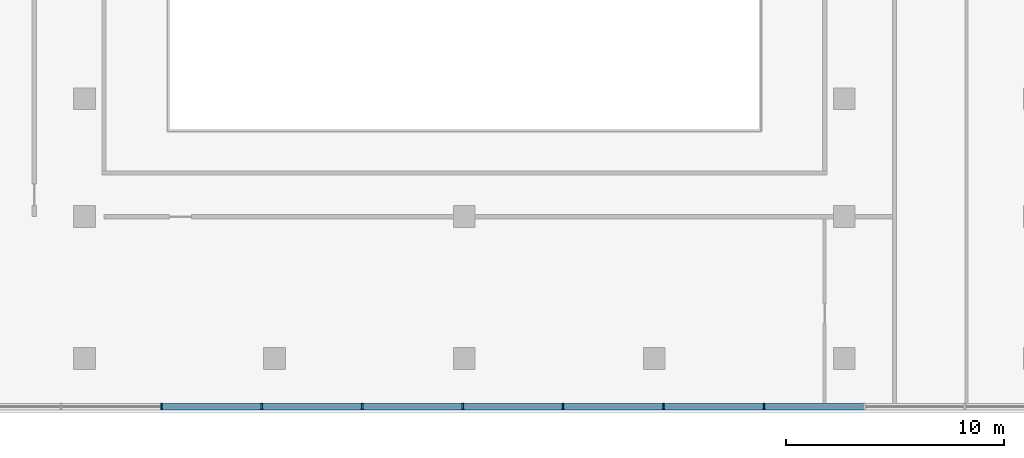
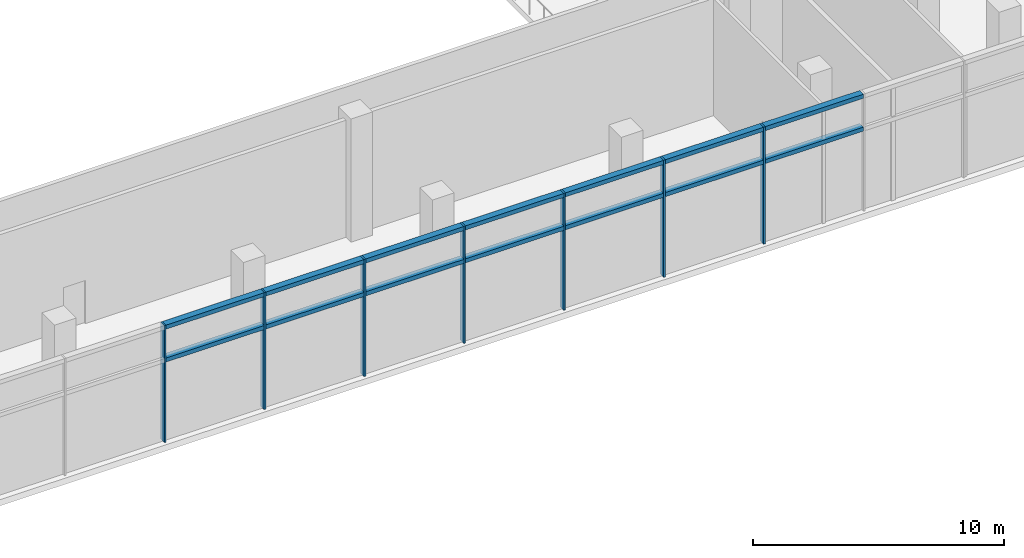
# One storey, part 4 of 22: 21 members, 1 element without a shape of its own.
"""IFC4 building model written with IfcOpenShell, lengths in metres."""

import ifcopenshell
import ifcopenshell.guid

model = None  # the IFC model being written
_history = None  # IfcOwnerHistory: only IFC2X3 demands one
_inside = {}  # id of a spatial element -> (the spatial element, [elements in it])
_under = {}  # id of a project, library or spatial element -> (it, [spatial elements below it])
_declared = {}  # id of a project -> (the project, [libraries it declares])
_typed = {}  # id of a type object -> (the type object, [elements of that type])
_made_of = {}  # id of a material, layer set ... -> (it, [elements and type objects made of it])


def new_model(schema):
    """Start an empty IFC model of exactly this schema.

    Asked for "IFC4X3", IfcOpenShell would pick the latest addendum, in which some entities
    have other attributes; the version numbers below select the first issue.
    IFC2X3 requires an IfcOwnerHistory on every rooted entity: one is made here for all.
    """
    global model, _history
    if schema == "IFC4X3":
        model = ifcopenshell.file(schema_version=(4, 3, 0, 0))
    else:
        model = ifcopenshell.file(schema=schema)
    _inside.clear()
    _under.clear()
    _declared.clear()
    _typed.clear()
    _made_of.clear()
    _history = None
    if model.schema == "IFC2X3":
        org = make("IfcOrganization", Name="unknown")
        user = make(
            "IfcPersonAndOrganization",
            ThePerson=make("IfcPerson", FamilyName="unknown"),
            TheOrganization=org,
        )
        app = make(
            "IfcApplication",
            ApplicationDeveloper=org,
            Version="unknown",
            ApplicationFullName="unknown",
            ApplicationIdentifier="unknown",
        )
        _history = make(
            "IfcOwnerHistory",
            OwningUser=user,
            OwningApplication=app,
            ChangeAction="ADDED",
            CreationDate=0,
        )
    return model


def make(cls, **values):
    """One entity of the class cls with the attributes given. An attribute that is None is left unset."""
    return model.create_entity(
        cls, **{name: value for name, value in values.items() if value is not None}
    )


def rooted(cls, **values):
    """An entity with a GlobalId (a new one), such as an element, a storey or a relation."""
    return make(cls, GlobalId=ifcopenshell.guid.new(), OwnerHistory=_history, **values)


def si_unit(unit_type, name, prefix=None):
    """IfcSIUnit, for example si_unit("LENGTHUNIT", "METRE", prefix="MILLI")."""
    return make("IfcSIUnit", UnitType=unit_type, Prefix=prefix, Name=name)


def assignment(units):
    """IfcUnitAssignment: the units of a project."""
    return None if units is None else make("IfcUnitAssignment", Units=units)


def point(xyz):
    """IfcCartesianPoint."""
    return None if xyz is None else make("IfcCartesianPoint", Coordinates=xyz)


def direction(xyz):
    """IfcDirection."""
    return None if xyz is None else make("IfcDirection", DirectionRatios=xyz)


def frame(location, z_axis=None, x_axis=None):
    """IfcAxis2Placement3D, a coordinate frame: its origin and axes. An axis left out is left unset."""
    return make(
        "IfcAxis2Placement3D",
        Location=point(location),
        Axis=direction(z_axis),
        RefDirection=direction(x_axis),
    )


def frame_2d(location, x_axis=None):
    """IfcAxis2Placement2D, a coordinate frame in the plane: its origin and x axis."""
    return make(
        "IfcAxis2Placement2D", Location=point(location), RefDirection=direction(x_axis)
    )


def origin():
    """The frame at (0, 0, 0) with its axes left unset."""
    return frame((0.0, 0.0, 0.0))


def origin_2d():
    """The frame at (0, 0) in the plane with its x axis left unset."""
    return frame_2d((0.0, 0.0))


def place(relative_to, where):
    """IfcLocalPlacement: puts the frame where relative to a parent placement (None: the world)."""
    return make(
        "IfcLocalPlacement", PlacementRelTo=relative_to, RelativePlacement=where
    )


def context(
    kind, dimensions, precision=None, world=None, true_north=None, identifier=None
):
    """IfcGeometricRepresentationContext, for example the 3D "Model" context."""
    return make(
        "IfcGeometricRepresentationContext",
        ContextIdentifier=identifier,
        ContextType=kind,
        CoordinateSpaceDimension=dimensions,
        Precision=precision,
        WorldCoordinateSystem=world,
        TrueNorth=true_north,
    )


def subcontext(parent, identifier, kind, view, scale=None):
    """IfcGeometricRepresentationSubContext, for example "Body" below "Model"."""
    return make(
        "IfcGeometricRepresentationSubContext",
        ContextIdentifier=identifier,
        ContextType=kind,
        ParentContext=parent,
        TargetScale=scale,
        TargetView=view,
    )


def project(units=None, contexts=None):
    """IfcProject with its units and contexts."""
    return rooted(
        "IfcProject",
        Name="project",
        RepresentationContexts=contexts,
        UnitsInContext=assignment(units),
    )


def spatial(cls, under=None, at=None, **own):
    """A site, building, storey or space (cls), placed at a placement, below another one or the project."""
    s = rooted(cls, ObjectPlacement=at, **own)
    if under is not None:
        _under.setdefault(under.id(), (under, []))[1].append(s)
    return s


def profile(cls, at=None, kind="AREA", **sizes):
    """A parametric profile (cls). Its sizes go by their IFC names, for example OverallWidth=200.0."""
    return make(cls, ProfileType=kind, Position=at, **sizes)


def rectangle(**sizes):
    """IfcRectangleProfileDef."""
    return profile("IfcRectangleProfileDef", **sizes)


def extrude(swept, where, along, depth):
    """IfcExtrudedAreaSolid: the profile swept, set in the frame where, extruded along a direction by depth."""
    return make(
        "IfcExtrudedAreaSolid",
        SweptArea=swept,
        Position=where,
        ExtrudedDirection=direction(along),
        Depth=depth,
    )


def shape(context_of_items, identifier, shape_type, items):
    """IfcShapeRepresentation: the items that make up one representation, for example the "Body"."""
    return make(
        "IfcShapeRepresentation",
        ContextOfItems=context_of_items,
        RepresentationIdentifier=identifier,
        RepresentationType=shape_type,
        Items=items,
    )


def material(Name=None, Category=None):
    """IfcMaterial."""
    return make("IfcMaterial", Name=Name, Category=Category)


def material_profile(
    of_material, cross_section, Name=None, Category=None, Priority=None
):
    """IfcMaterialProfile: a cross section and its material."""
    return make(
        "IfcMaterialProfile",
        Name=Name,
        Material=of_material,
        Profile=cross_section,
        Priority=Priority,
        Category=Category,
    )


def profile_set(profiles, Name=None, composite=None):
    """IfcMaterialProfileSet."""
    return make(
        "IfcMaterialProfileSet",
        Name=Name,
        MaterialProfiles=profiles,
        CompositeProfile=composite,
    )


def made_of(thing, what):
    """Note that an element or type object is made of a material, layer set ...; save() writes the relation."""
    if what is not None:
        _made_of.setdefault(what.id(), (what, []))[1].append(thing)
    return thing


def type_object(cls, material=None, **own):
    """A type object (cls), such as IfcWallType, which elements share."""
    return made_of(rooted(cls, **own), material)


def element(
    cls,
    number,
    at=None,
    inside=None,
    cuts=None,
    type_object=None,
    material=None,
    context=None,
    identifier="Body",
    shape_type=None,
    held_by="IfcProductDefinitionShape",
    body=None,
    shapes=None,
    **own,
):
    """One element of the class cls, such as IfcWall. Its Tag is "e" and its number.

    at: its placement. inside: the storey or other place that contains it. cuts: it is an
    opening in that element (IfcRelVoidsElement). A single representation is given by context,
    identifier, shape_type and body (its items); several are given by shapes. held_by: the class
    of the entity that holds the representations. save() writes the other relations.
    """
    e = rooted(cls, Tag="e%d" % number, ObjectPlacement=at, **own)
    if body is not None:
        shapes = [shape(context, identifier, shape_type, body)]
    if shapes is not None:
        e.Representation = make(held_by, Representations=shapes)
    if inside is not None:
        _inside.setdefault(inside.id(), (inside, []))[1].append(e)
    if cuts is not None:
        rooted(
            "IfcRelVoidsElement", RelatingBuildingElement=cuts, RelatedOpeningElement=e
        )
    if type_object is not None:
        _typed.setdefault(type_object.id(), (type_object, []))[1].append(e)
    return made_of(e, material)


def aggregate(whole, parts):
    """IfcRelAggregates: a whole, such as a stair, and the parts it consists of."""
    return rooted("IfcRelAggregates", RelatingObject=whole, RelatedObjects=parts)


def save(model, path):
    """Write the relations noted so far, then the file.

    IfcRelAggregates (storeys below a building ...), IfcRelContainedInSpatialStructure (elements
    in a storey), IfcRelDefinesByType, IfcRelAssociatesMaterial and IfcRelDeclares: one each for
    every whole, place, type object, material and project.
    """
    for whole, parts in _under.values():
        aggregate(whole, parts)
    for where, things in _inside.values():
        rooted(
            "IfcRelContainedInSpatialStructure",
            RelatedElements=things,
            RelatingStructure=where,
        )
    for kind, things in _typed.values():
        rooted("IfcRelDefinesByType", RelatedObjects=things, RelatingType=kind)
    for what, things in _made_of.values():
        rooted("IfcRelAssociatesMaterial", RelatedObjects=things, RelatingMaterial=what)
    for by, libraries in _declared.values():
        rooted("IfcRelDeclares", RelatingContext=by, RelatedDefinitions=libraries)
    model.write(path)


model = new_model("IFC4")

# Units and contexts
model_context = context("Model", 3, precision=1e-05, world=origin(), true_north=direction((0.0, 1.0)))
body_context = subcontext(model_context, "Body", "Model", "MODEL_VIEW")
ifc_project = project(units=[si_unit("LENGTHUNIT", "METRE"), si_unit("AREAUNIT", "SQUARE_METRE"), si_unit("VOLUMEUNIT", "CUBIC_METRE"), si_unit("PLANEANGLEUNIT", "RADIAN"), si_unit("MASSUNIT", "GRAM", prefix="KILO")], contexts=[model_context])

# Site, building, storey
site_placement = place(None, origin())
site = spatial("IfcSite", under=ifc_project, at=site_placement, CompositionType="ELEMENT")
building_placement = place(site_placement, origin())
building = spatial("IfcBuilding", under=site, at=building_placement, Name="Bicima Exchange Tower", CompositionType="ELEMENT")
storey_placement = place(building_placement, frame((0.0, 0.0, 14.0)))
storey = spatial("IfcBuildingStorey", under=building, at=storey_placement, Name="L02", CompositionType="ELEMENT", Elevation=14.0)

# Curtain wall, members
ifc_material = material(Name="Stainless steel", Category="steel")
curtain_wall_type = type_object("IfcCurtainWallType", Name="Hall structural glazing", PredefinedType="NOTDEFINED", material=ifc_material)
curtain_wall_placement = place(storey_placement, origin())
curtain_wall = element("IfcCurtainWall", 1, at=curtain_wall_placement, inside=storey, type_object=curtain_wall_type, Name="Podium glazing L02 south 1", PredefinedType="NOTDEFINED")
ifc_material_profile_1 = material_profile(ifc_material, rectangle(XDim=0.300048828125, YDim=0.080078125, at=origin_2d()))
ifc_profile_set_1 = profile_set([ifc_material_profile_1], Name="Stainless steel")
member_type_1 = type_object("IfcMemberType", Name="Hall structural glazing mullion 80 x 300", PredefinedType="MULLION", material=ifc_profile_set_1)
member_1_placement = place(storey_placement, frame((-13.87060546875, -53.699951171875, 0.0), z_axis=(0.0, 0.0, 1.0), x_axis=(0.0, 1.0, 0.0)))
member_1 = element("IfcMember", 2, at=member_1_placement, type_object=member_type_1, Name="Hall structural glazing mullion 8", PredefinedType="MULLION", context=body_context, shape_type="SweptSolid", body=[
    extrude(rectangle(XDim=0.300048828125, YDim=0.080078125, at=origin_2d()), origin(), (0.0, 0.0, 1.0), 5.699951171875),
])
member_2_placement = place(storey_placement, frame((-9.27197265625, -53.699951171875, 0.0), z_axis=(0.0, 0.0, 1.0), x_axis=(0.0, 1.0, 0.0)))
member_2 = element("IfcMember", 3, at=member_2_placement, type_object=member_type_1, Name="Hall structural glazing mullion 9", PredefinedType="MULLION", context=body_context, shape_type="SweptSolid", body=[
    extrude(rectangle(XDim=0.300048828125, YDim=0.080078125, at=origin_2d()), origin(), (0.0, 0.0, 1.0), 5.699951171875),
])
member_3_placement = place(storey_placement, frame((-4.673583984375, -53.699951171875, 0.0), z_axis=(0.0, 0.0, 1.0), x_axis=(0.0, 1.0, 0.0)))
member_3 = element("IfcMember", 4, at=member_3_placement, type_object=member_type_1, Name="Hall structural glazing mullion 10", PredefinedType="MULLION", context=body_context, shape_type="SweptSolid", body=[
    extrude(rectangle(XDim=0.300048828125, YDim=0.080078125, at=origin_2d()), origin(), (0.0, 0.0, 1.0), 5.699951171875),
])
member_4_placement = place(storey_placement, frame((-0.074951171875, -53.699951171875, 0.0), z_axis=(0.0, 0.0, 1.0), x_axis=(0.0, 1.0, 0.0)))
member_4 = element("IfcMember", 5, at=member_4_placement, type_object=member_type_1, Name="Hall structural glazing mullion 11", PredefinedType="MULLION", context=body_context, shape_type="SweptSolid", body=[
    extrude(rectangle(XDim=0.300048828125, YDim=0.080078125, at=origin_2d()), origin(), (0.0, 0.0, 1.0), 5.699951171875),
])
member_5_placement = place(storey_placement, frame((4.5234375, -53.699951171875, 0.0), z_axis=(0.0, 0.0, 1.0), x_axis=(0.0, 1.0, 0.0)))
member_5 = element("IfcMember", 6, at=member_5_placement, type_object=member_type_1, Name="Hall structural glazing mullion 12", PredefinedType="MULLION", context=body_context, shape_type="SweptSolid", body=[
    extrude(rectangle(XDim=0.300048828125, YDim=0.080078125, at=origin_2d()), origin(), (0.0, 0.0, 1.0), 5.699951171875),
])
member_6_placement = place(storey_placement, frame((9.1220703125, -53.699951171875, 0.0), z_axis=(0.0, 0.0, 1.0), x_axis=(0.0, 1.0, 0.0)))
member_6 = element("IfcMember", 7, at=member_6_placement, type_object=member_type_1, Name="Hall structural glazing mullion 13", PredefinedType="MULLION", context=body_context, shape_type="SweptSolid", body=[
    extrude(rectangle(XDim=0.300048828125, YDim=0.080078125, at=origin_2d()), origin(), (0.0, 0.0, 1.0), 5.699951171875),
])
member_7_placement = place(storey_placement, frame((13.720458984375, -53.699951171875, 0.0), z_axis=(0.0, 0.0, 1.0), x_axis=(0.0, 1.0, 0.0)))
member_7 = element("IfcMember", 8, at=member_7_placement, type_object=member_type_1, Name="Hall structural glazing mullion 14", PredefinedType="MULLION", context=body_context, shape_type="SweptSolid", body=[
    extrude(rectangle(XDim=0.300048828125, YDim=0.080078125, at=origin_2d()), origin(), (0.0, 0.0, 1.0), 5.699951171875),
])
ifc_material_profile_2 = material_profile(ifc_material, rectangle(XDim=0.300048828125, YDim=0.199951171875, at=origin_2d()))
ifc_profile_set_2 = profile_set([ifc_material_profile_2], Name="Stainless steel")
member_type_2 = type_object("IfcMemberType", Name="Hall structural glazing transom 200 x 300", PredefinedType="USERDEFINED", material=ifc_profile_set_2)
member_8_placement = place(storey_placement, frame((-13.83056640625, -53.699951171875, 4.0), z_axis=(1.0, 0.0, 0.0), x_axis=(0.0, 1.0, 0.0)))
member_8 = element("IfcMember", 9, at=member_8_placement, type_object=member_type_2, Name="Hall structural glazing transom 8.1", ObjectType="TRANSOM", PredefinedType="USERDEFINED", context=body_context, shape_type="SweptSolid", body=[
    extrude(rectangle(XDim=0.300048828125, YDim=0.199951171875, at=origin_2d()), origin(), (0.0, 0.0, 1.0), 4.5185546875),
])
member_9_placement = place(storey_placement, frame((-13.83056640625, -53.699951171875, 5.60009765625), z_axis=(1.0, 0.0, 0.0), x_axis=(0.0, 1.0, 0.0)))
member_9 = element("IfcMember", 10, at=member_9_placement, type_object=member_type_2, Name="Hall structural glazing transom 8.2", ObjectType="TRANSOM", PredefinedType="USERDEFINED", context=body_context, shape_type="SweptSolid", body=[
    extrude(rectangle(XDim=0.300048828125, YDim=0.199951171875, at=origin_2d()), origin(), (0.0, 0.0, 1.0), 4.5185546875),
])
member_10_placement = place(storey_placement, frame((-9.23193359375, -53.699951171875, 4.0), z_axis=(1.0, 0.0, 0.0), x_axis=(0.0, 1.0, 0.0)))
member_10 = element("IfcMember", 11, at=member_10_placement, type_object=member_type_2, Name="Hall structural glazing transom 9.1", ObjectType="TRANSOM", PredefinedType="USERDEFINED", context=body_context, shape_type="SweptSolid", body=[
    extrude(rectangle(XDim=0.300048828125, YDim=0.199951171875, at=origin_2d()), origin(), (0.0, 0.0, 1.0), 4.5185546875),
])
member_11_placement = place(storey_placement, frame((-9.23193359375, -53.699951171875, 5.60009765625), z_axis=(1.0, 0.0, 0.0), x_axis=(0.0, 1.0, 0.0)))
member_11 = element("IfcMember", 12, at=member_11_placement, type_object=member_type_2, Name="Hall structural glazing transom 9.2", ObjectType="TRANSOM", PredefinedType="USERDEFINED", context=body_context, shape_type="SweptSolid", body=[
    extrude(rectangle(XDim=0.300048828125, YDim=0.199951171875, at=origin_2d()), origin(), (0.0, 0.0, 1.0), 4.5185546875),
])
member_12_placement = place(storey_placement, frame((-4.633544921875, -53.699951171875, 4.0), z_axis=(1.0, 0.0, 0.0), x_axis=(0.0, 1.0, 0.0)))
member_12 = element("IfcMember", 13, at=member_12_placement, type_object=member_type_2, Name="Hall structural glazing transom 10.1", ObjectType="TRANSOM", PredefinedType="USERDEFINED", context=body_context, shape_type="SweptSolid", body=[
    extrude(rectangle(XDim=0.300048828125, YDim=0.199951171875, at=origin_2d()), origin(), (0.0, 0.0, 1.0), 4.5185546875),
])
member_13_placement = place(storey_placement, frame((-4.633544921875, -53.699951171875, 5.60009765625), z_axis=(1.0, 0.0, 0.0), x_axis=(0.0, 1.0, 0.0)))
member_13 = element("IfcMember", 14, at=member_13_placement, type_object=member_type_2, Name="Hall structural glazing transom 10.2", ObjectType="TRANSOM", PredefinedType="USERDEFINED", context=body_context, shape_type="SweptSolid", body=[
    extrude(rectangle(XDim=0.300048828125, YDim=0.199951171875, at=origin_2d()), origin(), (0.0, 0.0, 1.0), 4.5185546875),
])
member_14_placement = place(storey_placement, frame((-0.034912109375, -53.699951171875, 4.0), z_axis=(1.0, 0.0, 0.0), x_axis=(0.0, 1.0, 0.0)))
member_14 = element("IfcMember", 15, at=member_14_placement, type_object=member_type_2, Name="Hall structural glazing transom 11.1", ObjectType="TRANSOM", PredefinedType="USERDEFINED", context=body_context, shape_type="SweptSolid", body=[
    extrude(rectangle(XDim=0.300048828125, YDim=0.199951171875, at=origin_2d()), origin(), (0.0, 0.0, 1.0), 4.518310546875),
])
member_15_placement = place(storey_placement, frame((-0.034912109375, -53.699951171875, 5.60009765625), z_axis=(1.0, 0.0, 0.0), x_axis=(0.0, 1.0, 0.0)))
member_15 = element("IfcMember", 16, at=member_15_placement, type_object=member_type_2, Name="Hall structural glazing transom 11.2", ObjectType="TRANSOM", PredefinedType="USERDEFINED", context=body_context, shape_type="SweptSolid", body=[
    extrude(rectangle(XDim=0.300048828125, YDim=0.199951171875, at=origin_2d()), origin(), (0.0, 0.0, 1.0), 4.518310546875),
])
member_16_placement = place(storey_placement, frame((4.5634765625, -53.699951171875, 4.0), z_axis=(1.0, 0.0, 0.0), x_axis=(0.0, 1.0, 0.0)))
member_16 = element("IfcMember", 17, at=member_16_placement, type_object=member_type_2, Name="Hall structural glazing transom 12.1", ObjectType="TRANSOM", PredefinedType="USERDEFINED", context=body_context, shape_type="SweptSolid", body=[
    extrude(rectangle(XDim=0.300048828125, YDim=0.199951171875, at=origin_2d()), origin(), (0.0, 0.0, 1.0), 4.5185546875),
])
member_17_placement = place(storey_placement, frame((4.5634765625, -53.699951171875, 5.60009765625), z_axis=(1.0, 0.0, 0.0), x_axis=(0.0, 1.0, 0.0)))
member_17 = element("IfcMember", 18, at=member_17_placement, type_object=member_type_2, Name="Hall structural glazing transom 12.2", ObjectType="TRANSOM", PredefinedType="USERDEFINED", context=body_context, shape_type="SweptSolid", body=[
    extrude(rectangle(XDim=0.300048828125, YDim=0.199951171875, at=origin_2d()), origin(), (0.0, 0.0, 1.0), 4.5185546875),
])
member_18_placement = place(storey_placement, frame((9.162109375, -53.699951171875, 4.0), z_axis=(1.0, 0.0, 0.0), x_axis=(0.0, 1.0, 0.0)))
member_18 = element("IfcMember", 19, at=member_18_placement, type_object=member_type_2, Name="Hall structural glazing transom 13.1", ObjectType="TRANSOM", PredefinedType="USERDEFINED", context=body_context, shape_type="SweptSolid", body=[
    extrude(rectangle(XDim=0.300048828125, YDim=0.199951171875, at=origin_2d()), origin(), (0.0, 0.0, 1.0), 4.518310546875),
])
member_19_placement = place(storey_placement, frame((9.162109375, -53.699951171875, 5.60009765625), z_axis=(1.0, 0.0, 0.0), x_axis=(0.0, 1.0, 0.0)))
member_19 = element("IfcMember", 20, at=member_19_placement, type_object=member_type_2, Name="Hall structural glazing transom 13.2", ObjectType="TRANSOM", PredefinedType="USERDEFINED", context=body_context, shape_type="SweptSolid", body=[
    extrude(rectangle(XDim=0.300048828125, YDim=0.199951171875, at=origin_2d()), origin(), (0.0, 0.0, 1.0), 4.518310546875),
])
member_20_placement = place(storey_placement, frame((13.760498046875, -53.699951171875, 4.0), z_axis=(1.0, 0.0, 0.0), x_axis=(0.0, 1.0, 0.0)))
member_20 = element("IfcMember", 21, at=member_20_placement, type_object=member_type_2, Name="Hall structural glazing transom 14.1", ObjectType="TRANSOM", PredefinedType="USERDEFINED", context=body_context, shape_type="SweptSolid", body=[
    extrude(rectangle(XDim=0.300048828125, YDim=0.199951171875, at=origin_2d()), origin(), (0.0, 0.0, 1.0), 4.5185546875),
])
member_21_placement = place(storey_placement, frame((13.760498046875, -53.699951171875, 5.60009765625), z_axis=(1.0, 0.0, 0.0), x_axis=(0.0, 1.0, 0.0)))
member_21 = element("IfcMember", 22, at=member_21_placement, type_object=member_type_2, Name="Hall structural glazing transom 14.2", ObjectType="TRANSOM", PredefinedType="USERDEFINED", context=body_context, shape_type="SweptSolid", body=[
    extrude(rectangle(XDim=0.300048828125, YDim=0.199951171875, at=origin_2d()), origin(), (0.0, 0.0, 1.0), 4.5185546875),
])
aggregate(curtain_wall, [member_1, member_2, member_3, member_4, member_5, member_6, member_7, member_8, member_9, member_10, member_11, member_12, member_13, member_14, member_15, member_16, member_17, member_18, member_19, member_20, member_21])

save(model, "model.ifc")
